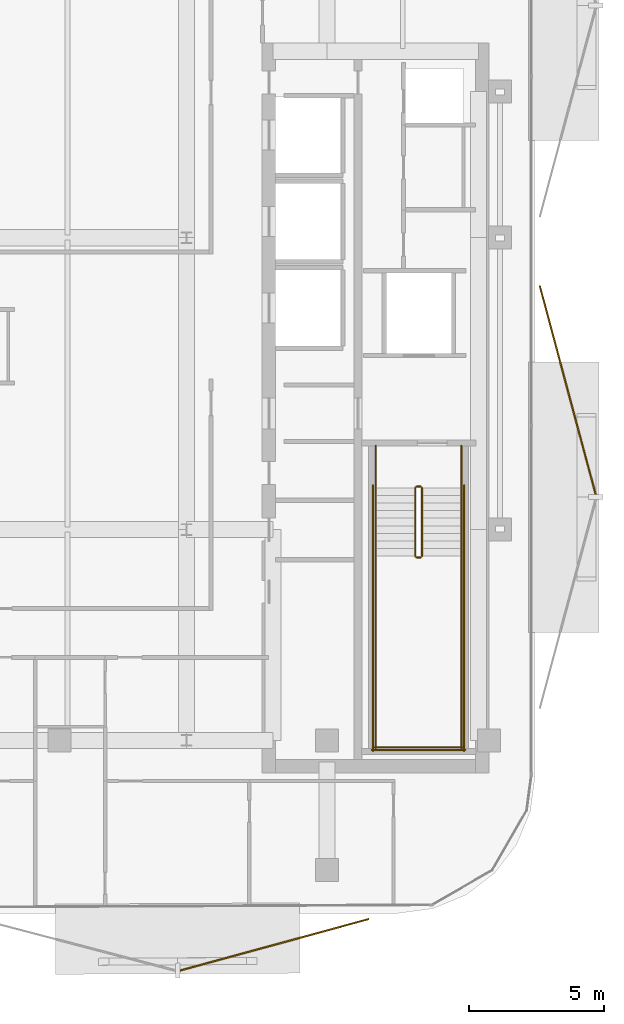
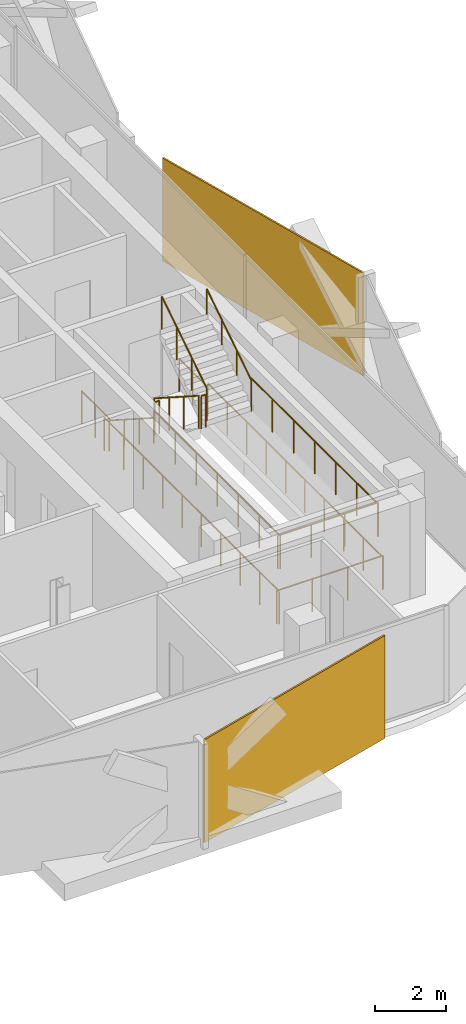
# One storey, part 15 of 16: 14 railings, 2 coverings.
"""IFC4 building model written with IfcOpenShell, lengths in metres."""

from ifc_helpers import new_model, si_unit, direction, frame, origin, origin_2d, place, context, subcontext, project, spatial, rectangle, circle, extrude, material, layer, layer_set, type_object, element, save


model = new_model("IFC4")

# Units and contexts
model_context = context("Model", 3, precision=1e-05, world=origin(), true_north=direction((0.0, 1.0)))
body_context = subcontext(model_context, "Body", "Model", "MODEL_VIEW")
ifc_project = project(units=[si_unit("LENGTHUNIT", "METRE"), si_unit("AREAUNIT", "SQUARE_METRE"), si_unit("VOLUMEUNIT", "CUBIC_METRE"), si_unit("PLANEANGLEUNIT", "RADIAN"), si_unit("MASSUNIT", "GRAM", prefix="KILO")], contexts=[model_context])

# Site, building, storey
site_placement = place(None, origin())
site = spatial("IfcSite", under=ifc_project, at=site_placement, CompositionType="ELEMENT")
building_placement = place(site_placement, origin())
building = spatial("IfcBuilding", under=site, at=building_placement, Name="Khairoan Windgate Tower", CompositionType="ELEMENT")
storey_placement = place(building_placement, frame((0.0, 0.0, 247.60009765625)))
storey = spatial("IfcBuildingStorey", under=building, at=storey_placement, Name="L58", CompositionType="ELEMENT", Elevation=247.60009765625)

# Coverings
ifc_material_1 = material(Name="Anodised Bronze Aluminium 6063-T6", Category="aluminium")
ifc_layer = layer(ifc_material_1, 0.054931640625, Name="Anodised Bronze Aluminium 6063-T6")
ifc_layer_set = layer_set([ifc_layer], Name="Anodised Bronze Aluminium 6063-T6")
covering_type = type_object("IfcCoveringType", Name="Perforated Bronze-Ceramic Folded Solar Screen Cladding BSC-1", PredefinedType="CLADDING", material=ifc_layer_set)
covering_1_placement = place(storey_placement, frame((12.45458984375, -26.162109375, -0.10009765625), z_axis=(0.0, 0.0, 1.0), x_axis=(-0.964649468762, -0.263536339841, 0.0)))
element("IfcCovering", 1, at=covering_1_placement, inside=storey, type_object=covering_type, Name="L58 Folded Bronze Solar Screen Facet 393L", PredefinedType="CLADDING", context=body_context, shape_type="SweptSolid", body=[
    extrude(rectangle(XDim=7.23193359375, YDim=0.054931640625, at=origin_2d()), origin(), (0.0, 0.0, 1.0), 3.5400390625),
])
covering_2_placement = place(storey_placement, frame((23.304443359375, -5.642822265625, -0.10009765625), z_axis=(0.0, 0.0, 1.0), x_axis=(0.258819045103, -0.965925826289, 0.0)))
element("IfcCovering", 2, at=covering_2_placement, inside=storey, type_object=covering_type, Name="L58 Folded Bronze Solar Screen Facet 400L", PredefinedType="CLADDING", context=body_context, shape_type="SweptSolid", body=[
    extrude(rectangle(XDim=8.001953125, YDim=0.054931640625, at=origin_2d()), origin(), (0.0, 0.0, 1.0), 3.5400390625),
])

# Railings
ifc_material_2 = material(Name="Anodised Bronze Aluminium 6063-T6", Category="aluminium")
railing_type_1 = type_object("IfcRailingType", Name="Stair Wall Handrail SHR-900", PredefinedType="HANDRAIL", material=ifc_material_2)
railing_1_placement = place(storey_placement, frame((16.199951171875, -9.260009765625, 0.179931640625)))
element("IfcRailing", 3, at=railing_1_placement, inside=storey, type_object=railing_type_1, Name="L58 ST1 stair handrail 1", PredefinedType="HANDRAIL", context=body_context, shape_type="SweptSolid", body=[
    extrude(circle(Radius=0.02392578125, at=origin_2d()), frame((0.0, 0.0, 0.8759765625), z_axis=(0.0, -0.841199657755, 0.540724639528), x_axis=(1.0, 0.0, 0.0)), (0.0, 0.0, 1.0), 2.995849609375),
    extrude(circle(Radius=0.02099609375, at=origin_2d()), origin(), (0.0, 0.0, 1.0), 0.851806640625),
    extrude(circle(Radius=0.02099609375, at=origin_2d()), frame((0.0, -0.840087890625, 0.5400390625)), (0.0, 0.0, 1.0), 0.851806640625),
    extrude(circle(Radius=0.02099609375, at=origin_2d()), frame((0.0, -1.679931640625, 1.079833984375)), (0.0, 0.0, 1.0), 0.851806640625),
    extrude(circle(Radius=0.02099609375, at=origin_2d()), frame((0.0, -2.52001953125, 1.619873046875)), (0.0, 0.0, 1.0), 0.851806640625),
])
railing_2_placement = place(storey_placement, frame((19.3701171875, -11.780029296875, 1.97998046875)))
element("IfcRailing", 4, at=railing_2_placement, inside=storey, type_object=railing_type_1, Name="L58 ST1 stair handrail 2", PredefinedType="HANDRAIL", context=body_context, shape_type="SweptSolid", body=[
    extrude(circle(Radius=0.02392578125, at=origin_2d()), frame((0.0, 0.0, 0.8759765625), z_axis=(0.0, 0.841199657755, 0.540724639528), x_axis=(-1.0, 0.0, 0.0)), (0.0, 0.0, 1.0), 2.995849609375),
    extrude(circle(Radius=0.02099609375, at=origin_2d()), origin(), (0.0, 0.0, 1.0), 0.851806640625),
    extrude(circle(Radius=0.02099609375, at=origin_2d()), frame((0.0, 0.840087890625, 0.5400390625)), (0.0, 0.0, 1.0), 0.851806640625),
    extrude(circle(Radius=0.02099609375, at=origin_2d()), frame((0.0, 1.679931640625, 1.079833984375)), (0.0, 0.0, 1.0), 0.851806640625),
    extrude(circle(Radius=0.02099609375, at=origin_2d()), frame((0.0, 2.52001953125, 1.619873046875)), (0.0, 0.0, 1.0), 0.851806640625),
])
ifc_material_3 = material(Name="Steel S355", Category="steel")
railing_type_2 = type_object("IfcRailingType", Name="Stairwell Safety Guardrail SGR-1150", PredefinedType="GUARDRAIL", material=ifc_material_3)
railing_3_placement = place(storey_placement, frame((17.659912109375, -9.260009765625, 0.179931640625)))
element("IfcRailing", 5, at=railing_3_placement, inside=storey, type_object=railing_type_2, Name="L58 ST1 stair guard 1", PredefinedType="GUARDRAIL", context=body_context, shape_type="SweptSolid", body=[
    extrude(circle(Radius=0.02392578125, at=origin_2d()), frame((0.0, 0.0, 1.1259765625), z_axis=(0.0, -0.841199657755, 0.540724639528), x_axis=(1.0, 0.0, 0.0)), (0.0, 0.0, 1.0), 2.995849609375),
    extrude(circle(Radius=0.02099609375, at=origin_2d()), origin(), (0.0, 0.0, 1.0), 1.101806640625),
    extrude(circle(Radius=0.02099609375, at=origin_2d()), frame((0.0, -0.840087890625, 0.5400390625)), (0.0, 0.0, 1.0), 1.101806640625),
    extrude(circle(Radius=0.02099609375, at=origin_2d()), frame((0.0, -1.679931640625, 1.079833984375)), (0.0, 0.0, 1.0), 1.101806640625),
    extrude(circle(Radius=0.02099609375, at=origin_2d()), frame((0.0, -2.52001953125, 1.619873046875)), (0.0, 0.0, 1.0), 1.101806640625),
])
railing_4_placement = place(storey_placement, frame((17.7099609375, -11.830078125, 1.7998046875)))
element("IfcRailing", 6, at=railing_4_placement, inside=storey, type_object=railing_type_2, Name="L58 ST1 stair guard 2", PredefinedType="GUARDRAIL", context=body_context, shape_type="SweptSolid", body=[
    extrude(circle(Radius=0.02392578125, at=origin_2d()), frame((0.0, 0.0, 1.1259765625), z_axis=(1.0, 0.0, 0.0), x_axis=(0.0, 1.0, 0.0)), (0.0, 0.0, 1.0), 0.150146484375),
    extrude(circle(Radius=0.02099609375, at=origin_2d()), origin(), (0.0, 0.0, 1.0), 1.101806640625),
    extrude(circle(Radius=0.02099609375, at=origin_2d()), frame((0.150146484375, 0.0, 0.0)), (0.0, 0.0, 1.0), 1.101806640625),
])
for number, where, name in (
    (7, (16.199951171875, -11.780029296875, 1.7998046875), "L58 ST1 stair guard 3"),
    (8, (19.3701171875, -11.780029296875, 1.7998046875), "L58 ST1 stair guard 4"),
):
    element("IfcRailing", number, at=place(storey_placement, frame(where)), inside=storey, type_object=railing_type_2, Name=name, PredefinedType="GUARDRAIL", context=body_context, shape_type="SweptSolid", body=[
        extrude(circle(Radius=0.02392578125, at=origin_2d()), frame((0.0, 0.0, 1.1259765625), z_axis=(0.0, -1.0, 0.0), x_axis=(1.0, 0.0, 0.0)), (0.0, 0.0, 1.0), 7.119873046875),
        extrude(circle(Radius=0.02099609375, at=origin_2d()), origin(), (0.0, 0.0, 1.0), 1.101806640625),
        extrude(circle(Radius=0.02099609375, at=origin_2d()), frame((0.0, -1.1865234375, 0.0)), (0.0, 0.0, 1.0), 1.101806640625),
        extrude(circle(Radius=0.02099609375, at=origin_2d()), frame((0.0, -2.373291015625, 0.0)), (0.0, 0.0, 1.0), 1.101806640625),
        extrude(circle(Radius=0.02099609375, at=origin_2d()), frame((0.0, -3.56005859375, 0.0)), (0.0, 0.0, 1.0), 1.101806640625),
        extrude(circle(Radius=0.02099609375, at=origin_2d()), frame((0.0, -4.74658203125, 0.0)), (0.0, 0.0, 1.0), 1.101806640625),
        extrude(circle(Radius=0.02099609375, at=origin_2d()), frame((0.0, -5.93310546875, 0.0)), (0.0, 0.0, 1.0), 1.101806640625),
        extrude(circle(Radius=0.02099609375, at=origin_2d()), frame((0.0, -7.119873046875, 0.0)), (0.0, 0.0, 1.0), 1.101806640625),
    ])
railing_5_placement = place(storey_placement, frame((16.14990234375, -18.85009765625, 1.7998046875)))
element("IfcRailing", 9, at=railing_5_placement, inside=storey, type_object=railing_type_2, Name="L58 ST1 stair guard 5", PredefinedType="GUARDRAIL", context=body_context, shape_type="SweptSolid", body=[
    extrude(circle(Radius=0.02392578125, at=origin_2d()), frame((0.0, 0.0, 1.1259765625), z_axis=(1.0, 0.0, 0.0), x_axis=(0.0, 1.0, 0.0)), (0.0, 0.0, 1.0), 3.27001953125),
    extrude(circle(Radius=0.02099609375, at=origin_2d()), origin(), (0.0, 0.0, 1.0), 1.101806640625),
    extrude(circle(Radius=0.02099609375, at=origin_2d()), frame((1.090087890625, 0.0, 0.0)), (0.0, 0.0, 1.0), 1.101806640625),
    extrude(circle(Radius=0.02099609375, at=origin_2d()), frame((2.179931640625, 0.0, 0.0)), (0.0, 0.0, 1.0), 1.101806640625),
    extrude(circle(Radius=0.02099609375, at=origin_2d()), frame((3.27001953125, 0.0, 0.0)), (0.0, 0.0, 1.0), 1.101806640625),
])
railing_6_placement = place(storey_placement, frame((17.909912109375, -11.780029296875, 1.97998046875)))
element("IfcRailing", 10, at=railing_6_placement, inside=storey, type_object=railing_type_2, Name="L58 ST1 stair guard 6", PredefinedType="GUARDRAIL", context=body_context, shape_type="SweptSolid", body=[
    extrude(circle(Radius=0.02392578125, at=origin_2d()), frame((0.0, 0.0, 1.1259765625), z_axis=(0.0, 0.841199657755, 0.540724639528), x_axis=(-1.0, 0.0, 0.0)), (0.0, 0.0, 1.0), 2.995849609375),
    extrude(circle(Radius=0.02099609375, at=origin_2d()), origin(), (0.0, 0.0, 1.0), 1.101806640625),
    extrude(circle(Radius=0.02099609375, at=origin_2d()), frame((0.0, 0.840087890625, 0.5400390625)), (0.0, 0.0, 1.0), 1.101806640625),
    extrude(circle(Radius=0.02099609375, at=origin_2d()), frame((0.0, 1.679931640625, 1.079833984375)), (0.0, 0.0, 1.0), 1.101806640625),
    extrude(circle(Radius=0.02099609375, at=origin_2d()), frame((0.0, 2.52001953125, 1.619873046875)), (0.0, 0.0, 1.0), 1.101806640625),
])
railing_7_placement = place(storey_placement, frame((17.7099609375, -9.2099609375, 0.0)))
element("IfcRailing", 11, at=railing_7_placement, inside=storey, type_object=railing_type_2, Name="L58 ST1 stair guard 7", PredefinedType="GUARDRAIL", context=body_context, shape_type="SweptSolid", body=[
    extrude(circle(Radius=0.02392578125, at=origin_2d()), frame((0.0, 0.0, 1.1259765625), z_axis=(1.0, 0.0, 0.0), x_axis=(0.0, 1.0, 0.0)), (0.0, 0.0, 1.0), 0.150146484375),
    extrude(circle(Radius=0.02099609375, at=origin_2d()), origin(), (0.0, 0.0, 1.0), 1.101806640625),
    extrude(circle(Radius=0.02099609375, at=origin_2d()), frame((0.150146484375, 0.0, 0.0)), (0.0, 0.0, 1.0), 1.101806640625),
])
for number, where, name in (
    (12, (16.199951171875, -7.699951171875, 0.0), "L58 ST1 stair guard 8"),
    (13, (19.3701171875, -7.699951171875, 0.0), "L58 ST1 stair guard 9"),
):
    element("IfcRailing", number, at=place(storey_placement, frame(where)), inside=storey, type_object=railing_type_2, Name=name, PredefinedType="GUARDRAIL", context=body_context, shape_type="SweptSolid", body=[
        extrude(circle(Radius=0.02392578125, at=origin_2d()), frame((0.0, 0.0, 1.1259765625), z_axis=(0.0, -1.0, 0.0), x_axis=(1.0, 0.0, 0.0)), (0.0, 0.0, 1.0), 1.56005859375),
        extrude(circle(Radius=0.02099609375, at=origin_2d()), origin(), (0.0, 0.0, 1.0), 1.101806640625),
        extrude(circle(Radius=0.02099609375, at=origin_2d()), frame((0.0, -0.780029296875, 0.0)), (0.0, 0.0, 1.0), 1.101806640625),
        extrude(circle(Radius=0.02099609375, at=origin_2d()), frame((0.0, -1.56005859375, 0.0)), (0.0, 0.0, 1.0), 1.101806640625),
    ])
for number, where, name in (
    (14, (16.10009765625, -9.159912109375, 0.0), "L58 ST1 stair guard 10"),
    (15, (19.469970703125, -9.159912109375, 0.0), "L58 ST1 stair guard 11"),
):
    element("IfcRailing", number, at=place(storey_placement, frame(where)), inside=storey, type_object=railing_type_2, Name=name, PredefinedType="GUARDRAIL", context=body_context, shape_type="SweptSolid", body=[
        extrude(circle(Radius=0.02392578125, at=origin_2d()), frame((0.0, 0.0, 1.1259765625), z_axis=(0.0, -1.0, 0.0), x_axis=(1.0, 0.0, 0.0)), (0.0, 0.0, 1.0), 9.840087890625),
        extrude(circle(Radius=0.02099609375, at=origin_2d()), origin(), (0.0, 0.0, 1.0), 1.101806640625),
        extrude(circle(Radius=0.02099609375, at=origin_2d()), frame((0.0, -1.09326171875, 0.0)), (0.0, 0.0, 1.0), 1.101806640625),
        extrude(circle(Radius=0.02099609375, at=origin_2d()), frame((0.0, -2.186767578125, 0.0)), (0.0, 0.0, 1.0), 1.101806640625),
        extrude(circle(Radius=0.02099609375, at=origin_2d()), frame((0.0, -3.280029296875, 0.0)), (0.0, 0.0, 1.0), 1.101806640625),
        extrude(circle(Radius=0.02099609375, at=origin_2d()), frame((0.0, -4.373291015625, 0.0)), (0.0, 0.0, 1.0), 1.101806640625),
        extrude(circle(Radius=0.02099609375, at=origin_2d()), frame((0.0, -5.466796875, 0.0)), (0.0, 0.0, 1.0), 1.101806640625),
        extrude(circle(Radius=0.02099609375, at=origin_2d()), frame((0.0, -6.56005859375, 0.0)), (0.0, 0.0, 1.0), 1.101806640625),
        extrude(circle(Radius=0.02099609375, at=origin_2d()), frame((0.0, -7.6533203125, 0.0)), (0.0, 0.0, 1.0), 1.101806640625),
        extrude(circle(Radius=0.02099609375, at=origin_2d()), frame((0.0, -8.746826171875, 0.0)), (0.0, 0.0, 1.0), 1.101806640625),
        extrude(circle(Radius=0.02099609375, at=origin_2d()), frame((0.0, -9.840087890625, 0.0)), (0.0, 0.0, 1.0), 1.101806640625),
    ])
railing_8_placement = place(storey_placement, frame((16.050048828125, -18.949951171875, 0.0)))
element("IfcRailing", 16, at=railing_8_placement, inside=storey, type_object=railing_type_2, Name="L58 ST1 stair guard 12", PredefinedType="GUARDRAIL", context=body_context, shape_type="SweptSolid", body=[
    extrude(circle(Radius=0.02392578125, at=origin_2d()), frame((0.0, 0.0, 1.1259765625), z_axis=(1.0, 0.0, 0.0), x_axis=(0.0, 1.0, 0.0)), (0.0, 0.0, 1.0), 3.469970703125),
    extrude(circle(Radius=0.02099609375, at=origin_2d()), origin(), (0.0, 0.0, 1.0), 1.101806640625),
    extrude(circle(Radius=0.02099609375, at=origin_2d()), frame((1.15673828125, 0.0, 0.0)), (0.0, 0.0, 1.0), 1.101806640625),
    extrude(circle(Radius=0.02099609375, at=origin_2d()), frame((2.313232421875, 0.0, 0.0)), (0.0, 0.0, 1.0), 1.101806640625),
    extrude(circle(Radius=0.02099609375, at=origin_2d()), frame((3.469970703125, 0.0, 0.0)), (0.0, 0.0, 1.0), 1.101806640625),
])

save(model, "model.ifc")
